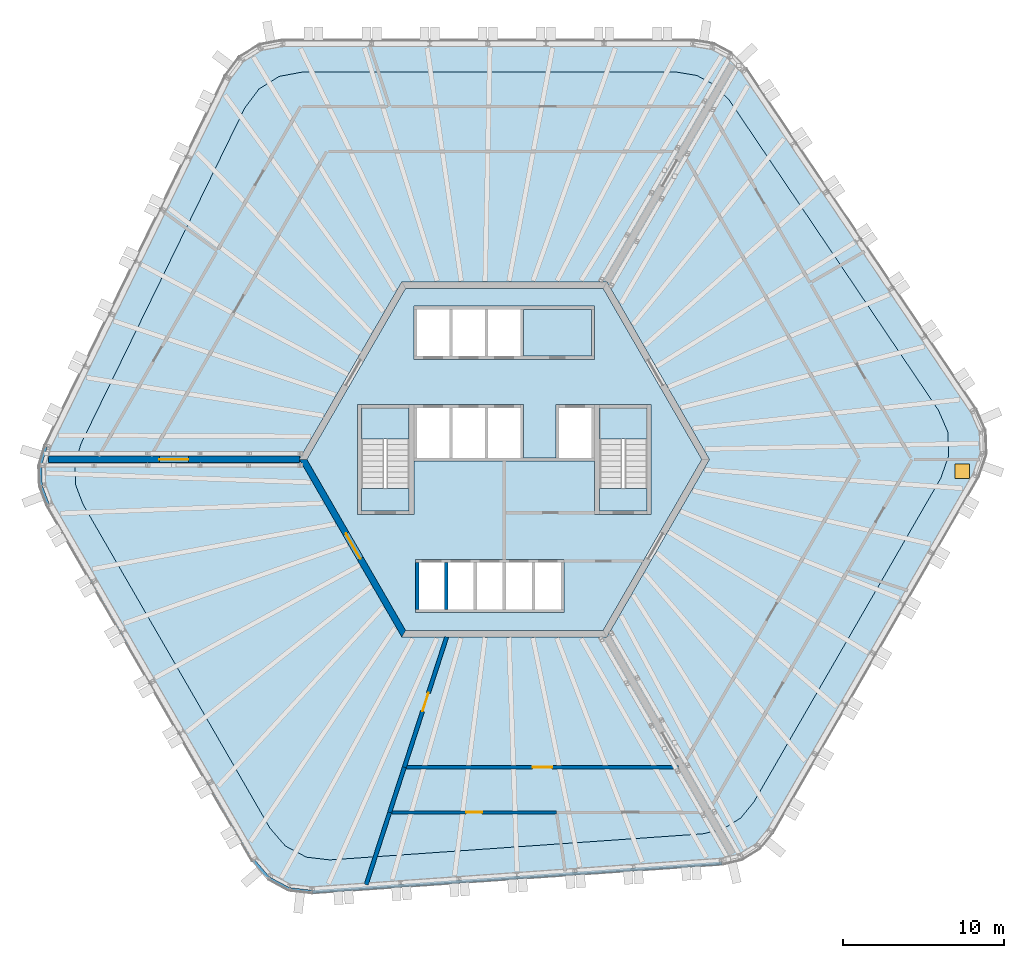
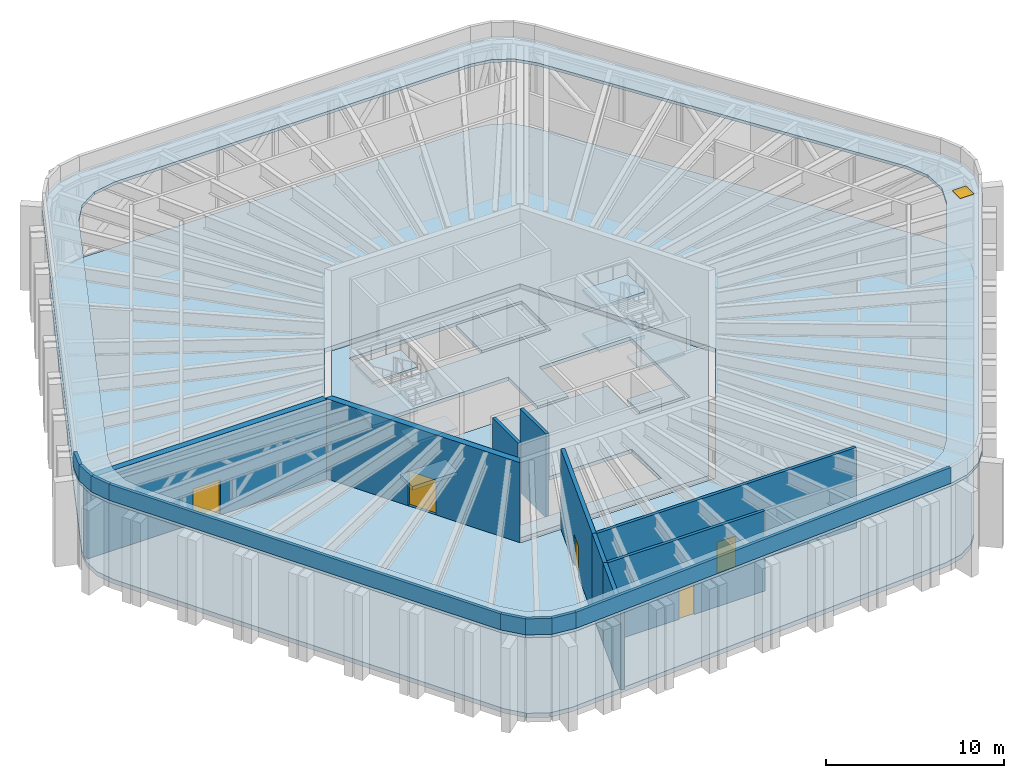
# One storey, part 9 of 19: 17 walls, 12 slabs, 6 doors, 6 openings, 2 elements without a shape of their own.
"""IFC4 building model written with IfcOpenShell, lengths in metres."""

from ifc_helpers import new_model, si_unit, direction, frame, frame_2d, origin, origin_2d, place, context, subcontext, project, spatial, polyline, rectangle, outline, extrude, material, layer, layer_set, type_object, element, fill, aggregate, save


model = new_model("IFC4")

# Units and contexts
model_context = context("Model", 3, precision=1e-05, world=origin(), true_north=direction((0.0, 1.0)))
body_context = subcontext(model_context, "Body", "Model", "MODEL_VIEW")
ifc_project = project(units=[si_unit("LENGTHUNIT", "METRE"), si_unit("AREAUNIT", "SQUARE_METRE"), si_unit("VOLUMEUNIT", "CUBIC_METRE"), si_unit("PLANEANGLEUNIT", "RADIAN"), si_unit("MASSUNIT", "GRAM", prefix="KILO")], contexts=[model_context])

# Site, building, storey
site_placement = place(None, origin())
site = spatial("IfcSite", under=ifc_project, at=site_placement, CompositionType="ELEMENT")
building_placement = place(site_placement, origin())
building = spatial("IfcBuilding", under=site, at=building_placement, Name="Tarnside Tower", CompositionType="ELEMENT")
storey_placement = place(building_placement, frame((0.0, 0.0, 343.5)))
storey = spatial("IfcBuildingStorey", under=building, at=storey_placement, Name="L83", CompositionType="ELEMENT", Elevation=343.5)

# Slabs
ifc_material_1 = material(Name="Concrete C35/45", Category="concrete")
ifc_layer_1 = layer(ifc_material_1, 0.300048828125)
ifc_layer_set_1 = layer_set([ifc_layer_1], Name="Composite floor slab 300")
slab_type_1 = type_object("IfcSlabType", Name="Composite floor slab 300", PredefinedType="FLOOR", material=ifc_layer_set_1)
slab_1_placement = place(storey_placement, frame((0.0, 0.0, -0.300048828125)))
element("IfcSlab", 1, at=slab_1_placement, inside=storey, type_object=slab_type_1, Name="Floor slab L83", PredefinedType="FLOOR", context=body_context, shape_type="SweptSolid", body=[
    extrude(outline(polyline([(12.83251953125, 25.359375), (13.847900390625, 24.8193359375), (14.648681640625, 23.970703125), (28.857421875, 2.9052734375), (29.384765625, 1.6826171875), (29.4306640625, 0.37109375), (28.98974609375, -0.88525390625), (16.28515625, -22.890380859375), (15.54541015625, -23.79296875), (14.5703125, -24.40234375), (13.434814453125, -24.67138671875), (-11.91259765625, -26.44384765625), (-13.235107421875, -26.289306640625), (-14.393798828125, -25.673095703125), (-15.261474609375, -24.663330078125), (-27.96630859375, -2.658203125), (-28.3779296875, -1.56640625), (-28.418212890625, -0.4169921875), (-28.08349609375, 0.70068359375), (-16.944580078125, 23.538818359375), (-16.149658203125, 24.606689453125), (-15.036865234375, 25.302001953125), (-13.728271484375, 25.548583984375), (11.68115234375, 25.548583984375), (12.83251953125, 25.359375)]), holes=[polyline([(-12.70166015625, 0.0), (-6.350830078125, -11.0), (6.350830078125, -11.0), (12.70166015625, 0.0), (6.350830078125, 11.0), (-6.350830078125, 11.0), (-12.70166015625, 0.0)])]), origin(), (0.0, 0.0, 1.0), 0.300048828125),
])
ifc_material_2 = material(Name="Concrete C40/50", Category="concrete")
ifc_layer_2 = layer(ifc_material_2, 0.25)
ifc_layer_set_2 = layer_set([ifc_layer_2], Name="Core slab C40/50")
slab_type_2 = type_object("IfcSlabType", Name="Core slab C40/50", PredefinedType="FLOOR", material=ifc_layer_set_2)
slab_2_placement = place(storey_placement, frame((0.0, 0.0, -0.25)))
element("IfcSlab", 2, at=slab_2_placement, inside=storey, type_object=slab_type_2, Name="L83 core floor slab 1", PredefinedType="FLOOR", context=body_context, shape_type="SweptSolid", body=[
    extrude(outline(polyline([(6.119873046875, 10.60009765625), (12.23974609375, 0.0), (6.119873046875, -10.60009765625), (-6.119873046875, -10.60009765625), (-12.23974609375, 0.0), (-6.119873046875, 10.60009765625), (6.119873046875, 10.60009765625)]), holes=[polyline([(-5.5, -9.5), (3.699951171875, -9.5), (3.699951171875, -9.300048828125), (3.699951171875, -6.39990234375), (3.699951171875, -6.199951171875), (-5.5, -6.199951171875), (-5.5, -6.39990234375), (-5.5, -9.300048828125), (-5.5, -9.5)]), polyline([(-5.60009765625, -3.39990234375), (-5.60009765625, -0.10009765625), (5.60009765625, -0.10009765625), (5.60009765625, -3.39990234375), (5.89990234375, -3.39990234375), (8.85009765625, -3.39990234375), (9.10009765625, -3.39990234375), (9.10009765625, 3.39990234375), (8.85009765625, 3.39990234375), (5.89990234375, 3.39990234375), (5.60009765625, 3.39990234375), (3.39990234375, 3.39990234375), (3.199951171875, 3.39990234375), (3.199951171875, 0.10009765625), (1.199951171875, 0.10009765625), (1.199951171875, 3.39990234375), (1.0, 3.39990234375), (-5.60009765625, 3.39990234375), (-5.89990234375, 3.39990234375), (-8.85009765625, 3.39990234375), (-9.10009765625, 3.39990234375), (-9.10009765625, -3.39990234375), (-8.85009765625, -3.39990234375), (-5.89990234375, -3.39990234375), (-5.60009765625, -3.39990234375)]), polyline([(-5.60009765625, 6.199951171875), (5.60009765625, 6.199951171875), (5.60009765625, 6.39990234375), (5.60009765625, 9.300048828125), (5.60009765625, 9.5), (-5.60009765625, 9.5), (-5.60009765625, 9.300048828125), (-5.60009765625, 6.39990234375), (-5.60009765625, 6.199951171875)])]), origin(), (0.0, 0.0, 1.0), 0.25),
])
slab_3_placement = place(storey_placement, frame((0.0, 0.0, -0.25)))
element("IfcSlab", 3, at=slab_3_placement, inside=storey, type_object=slab_type_2, Name="L83 core floor slab 2", PredefinedType="FLOOR", context=body_context, shape_type="SweptSolid", body=[
    extrude(outline(polyline([(-8.85009765625, -3.199951171875), (-8.85009765625, -1.800048828125), (-5.89990234375, -1.800048828125), (-5.89990234375, -3.199951171875), (-8.85009765625, -3.199951171875)])), origin(), (0.0, 0.0, 1.0), 0.25),
])
slab_4_placement = place(storey_placement, frame((0.0, 0.0, -0.25)))
element("IfcSlab", 4, at=slab_4_placement, inside=storey, type_object=slab_type_2, Name="L83 core floor slab 3", PredefinedType="FLOOR", context=body_context, shape_type="SweptSolid", body=[
    extrude(outline(polyline([(5.89990234375, -1.800048828125), (8.85009765625, -1.800048828125), (8.85009765625, -3.199951171875), (5.89990234375, -3.199951171875), (5.89990234375, -1.800048828125)])), origin(), (0.0, 0.0, 1.0), 0.25),
])
slab_5_placement = place(storey_placement, frame((0.0, 0.0, -0.25)))
element("IfcSlab", 5, at=slab_5_placement, inside=storey, type_object=slab_type_2, Name="L83 core floor slab 4", PredefinedType="FLOOR", context=body_context, shape_type="SweptSolid", body=[
    extrude(outline(polyline([(5.39990234375, 6.39990234375), (1.199951171875, 6.39990234375), (1.199951171875, 9.300048828125), (5.39990234375, 9.300048828125), (5.39990234375, 6.39990234375)])), origin(), (0.0, 0.0, 1.0), 0.25),
])

# Slab, opening, door
ifc_layer_3 = layer(ifc_material_1, 0.199951171875)
ifc_layer_set_3 = layer_set([ifc_layer_3], Name="Setback roof slab 200")
slab_type_3 = type_object("IfcSlabType", Name="Setback roof slab 200", PredefinedType="ROOF", material=ifc_layer_set_3)
slab_6_placement = place(storey_placement, frame((0.0, 0.0, 5.5)))
slab_6 = element("IfcSlab", 6, at=slab_6_placement, inside=storey, type_object=slab_type_3, Name="Setback roof L83", PredefinedType="ROOF", context=body_context, shape_type="SweptSolid", body=[
    extrude(outline(polyline([(14.123291015625, 25.180419921875), (15.013671875, 24.23681640625), (29.2421875, 3.14208984375), (29.828857421875, 1.782470703125), (29.88037109375, 0.302734375), (29.39013671875, -1.0947265625), (16.66796875, -23.13037109375), (15.845458984375, -24.134033203125), (14.7451171875, -24.821533203125), (13.482666015625, -25.12060546875), (-11.89990234375, -26.8955078125), (-13.37060546875, -26.7236328125), (-14.67822265625, -26.028564453125), (-15.64306640625, -24.9052734375), (-28.365478515625, -2.86962890625), (-28.823486328125, -1.65576171875), (-28.86865234375, -0.35888671875), (-28.49658203125, 0.8837890625), (-17.34228515625, 23.75341796875), (-16.4580078125, 24.941162109375), (-15.202392578125, 25.725830078125), (-13.7470703125, 26.0), (11.697509765625, 26.0), (12.977783203125, 25.78955078125), (14.123291015625, 25.180419921875)]), holes=[polyline([(10.652587890625, 24.0), (10.63427734375, 24.0), (-12.497314453125, 24.0), (-12.518310546875, 24.0), (-13.9541015625, 23.7294921875), (-15.2109375, 22.944091796875), (-16.08349609375, 21.7724609375), (-16.45654296875, 21.007080078125), (-16.716796875, 20.4736328125), (-16.716796875, 20.4736328125), (-16.717041015625, 20.4736328125), (-16.717041015625, 20.4736328125), (-16.71728515625, 20.4736328125), (-16.71728515625, 20.4736328125), (-16.71728515625, 20.4736328125), (-16.717529296875, 20.4736328125), (-16.717529296875, 20.4736328125), (-16.7177734375, 20.4736328125), (-16.7177734375, 20.4736328125), (-16.7177734375, 20.4736328125), (-16.718017578125, 20.473388671875), (-16.718017578125, 20.473388671875), (-16.718017578125, 20.473388671875), (-16.718017578125, 20.47314453125), (-16.71826171875, 20.47314453125), (-25.60888671875, 2.244140625), (-25.609130859375, 2.244140625), (-25.609130859375, 2.243896484375), (-25.609130859375, 2.243896484375), (-25.609130859375, 2.243896484375), (-25.609130859375, 2.24365234375), (-25.609130859375, 2.24365234375), (-25.609130859375, 2.243408203125), (-25.609130859375, 2.243408203125), (-25.60888671875, 2.243408203125), (-25.60888671875, 2.2431640625), (-25.60888671875, 2.2431640625), (-25.60888671875, 2.2431640625), (-25.60888671875, 2.242919921875), (-25.608642578125, 2.242919921875), (-25.608642578125, 2.242919921875), (-25.608642578125, 2.242919921875), (-26.232666015625, 0.962890625), (-26.23291015625, 0.962890625), (-26.24072265625, 0.946533203125), (-26.60791015625, -0.279541015625), (-26.5625, -1.5771484375), (-26.11083984375, -2.774658203125), (-25.267822265625, -4.23486328125), (-14.535888671875, -22.822998046875), (-14.535888671875, -22.8232421875), (-14.525390625, -22.84130859375), (-13.573486328125, -23.94921875), (-12.2646484375, -24.645263671875), (-10.813720703125, -24.814697265625), (-9.78173828125, -24.74267578125), (-9.372314453125, -24.7138671875), (-9.372314453125, -24.714111328125), (-9.372314453125, -24.714111328125), (-9.372314453125, -24.71435546875), (-9.3720703125, -24.71435546875), (-9.3720703125, -24.71435546875), (-9.3720703125, -24.714599609375), (-9.3720703125, -24.714599609375), (-9.371826171875, -24.714599609375), (-9.371826171875, -24.71484375), (-9.371826171875, -24.71484375), (-9.37158203125, -24.71484375), (-9.37158203125, -24.71484375), (-9.37158203125, -24.71484375), (-9.371337890625, -24.71484375), (-9.371337890625, -24.71484375), (-9.37109375, -24.71484375), (10.861083984375, -23.300048828125), (10.861083984375, -23.300048828125), (10.861083984375, -23.300048828125), (10.861328125, -23.300048828125), (10.861328125, -23.300048828125), (10.861328125, -23.300048828125), (10.861572265625, -23.300048828125), (10.861572265625, -23.2998046875), (10.861572265625, -23.2998046875), (10.86181640625, -23.2998046875), (10.86181640625, -23.299560546875), (10.86181640625, -23.299560546875), (10.86181640625, -23.299560546875), (10.86181640625, -23.29931640625), (10.86181640625, -23.29931640625), (10.86181640625, -23.299072265625), (10.86181640625, -23.299072265625), (11.476318359375, -23.256103515625), (12.30078125, -23.198486328125), (13.546142578125, -22.9033203125), (14.647216796875, -22.21533203125), (15.458251953125, -21.225341796875), (15.467529296875, -21.20947265625), (15.467529296875, -21.20947265625), (21.5126953125, -10.73876953125), (27.043701171875, -1.15869140625), (27.52734375, 0.2197265625), (27.4755859375, 1.700927734375), (26.897216796875, 3.04248046875), (26.88525390625, 3.059814453125), (26.88525390625, 3.059814453125), (26.089111328125, 4.240478515625), (26.089111328125, 4.240478515625), (26.089111328125, 4.240478515625), (26.08935546875, 4.240478515625), (26.08935546875, 4.24072265625), (26.08935546875, 4.24072265625), (26.08935546875, 4.24072265625), (26.08935546875, 4.240966796875), (26.089599609375, 4.240966796875), (26.089599609375, 4.2412109375), (26.089599609375, 4.2412109375), (26.089599609375, 4.2412109375), (26.089599609375, 4.241455078125), (26.08935546875, 4.241455078125), (26.08935546875, 4.24169921875), (26.08935546875, 4.24169921875), (26.08935546875, 4.24169921875), (14.748046875, 21.055908203125), (14.748046875, 21.05615234375), (14.747802734375, 21.05615234375), (14.747802734375, 21.05615234375), (14.747802734375, 21.05615234375), (14.74755859375, 21.056396484375), (14.74755859375, 21.056396484375), (14.74755859375, 21.056396484375), (14.747314453125, 21.056396484375), (14.747314453125, 21.056396484375), (14.7470703125, 21.056396484375), (14.7470703125, 21.056396484375), (14.7470703125, 21.056396484375), (14.746826171875, 21.056396484375), (14.746826171875, 21.056396484375), (14.746826171875, 21.05615234375), (14.74658203125, 21.05615234375), (13.940185546875, 22.251953125), (13.061767578125, 23.182861328125), (11.915283203125, 23.79248046875), (10.652587890625, 24.0)])]), origin(), (0.0, 0.0, 1.0), 0.199951171875),
])
opening_1_placement = place(slab_6_placement, frame((28.357421875, -0.726806640625, 0.0)))
opening_1 = element("IfcOpeningElement", 7, at=opening_1_placement, cuts=slab_6, Name="Opening RH", PredefinedType="OPENING", context=body_context, shape_type="SweptSolid", body=[
    extrude(rectangle(XDim=0.89990234375, YDim=0.89990234375, at=origin_2d()), origin(), (0.0, 0.0, 1.0), 0.199951171875),
])
ifc_material_3 = material(Name="Aluminium alloy 6063", Category="aluminium")
door_type_1 = type_object("IfcDoorType", Name="Roof access hatch 900 x 900", OperationType="NOTDEFINED", PredefinedType="TRAPDOOR", material=ifc_material_3)
door_1_placement = place(opening_1_placement, frame((0.0, 0.0, 0.14990234375)))
door_1 = element("IfcDoor", 8, at=door_1_placement, inside=storey, type_object=door_type_1, Name="Roof access hatch", OperationType="SINGLE_SWING_LEFT", OverallHeight=0.89990234375, OverallWidth=0.89990234375, PredefinedType="TRAPDOOR", context=body_context, shape_type="SweptSolid", body=[
    extrude(rectangle(XDim=0.89990234375, YDim=0.89990234375, at=origin_2d()), origin(), (0.0, 0.0, 1.0), 0.050048828125),
])
fill(opening_1, door_1)

# Stair, slabs
stair_type = type_object("IfcStairType", Name="Exit stair 1400 clear", PredefinedType="HALF_TURN_STAIR", material=ifc_material_2)
stair_1_placement = place(storey_placement, origin())
stair_1 = element("IfcStair", 9, at=stair_1_placement, inside=storey, type_object=stair_type, Name="L83 Exit stair 1", PredefinedType="HALF_TURN_STAIR")
ifc_layer_4 = layer(ifc_material_2, 0.199951171875)
ifc_layer_set_4 = layer_set([ifc_layer_4], Name="Stair landing 200 C40/50")
slab_type_4 = type_object("IfcSlabType", Name="Stair landing 200 C40/50", PredefinedType="LANDING", material=ifc_layer_set_4)
slab_7_placement = place(storey_placement, frame((0.0, 0.0, 1.300048828125)))
slab_7 = element("IfcSlab", 10, at=slab_7_placement, type_object=slab_type_4, Name="ST1 landing 1", PredefinedType="LANDING", context=body_context, shape_type="SweptSolid", body=[
    extrude(outline(polyline([(8.85009765625, 1.260009765625), (8.85009765625, 3.199951171875), (5.89990234375, 3.199951171875), (5.89990234375, 1.260009765625), (8.85009765625, 1.260009765625)])), origin(), (0.0, 0.0, 1.0), 0.199951171875),
])
slab_8_placement = place(storey_placement, frame((0.0, 0.0, 2.800048828125)))
slab_8 = element("IfcSlab", 11, at=slab_8_placement, type_object=slab_type_4, Name="ST1 landing 2", PredefinedType="LANDING", context=body_context, shape_type="SweptSolid", body=[
    extrude(outline(polyline([(8.85009765625, -3.199951171875), (8.85009765625, -1.800048828125), (5.89990234375, -1.800048828125), (5.89990234375, -3.199951171875), (8.85009765625, -3.199951171875)])), origin(), (0.0, 0.0, 1.0), 0.199951171875),
])
slab_9_placement = place(storey_placement, frame((0.0, 0.0, 4.300048828125)))
slab_9 = element("IfcSlab", 12, at=slab_9_placement, type_object=slab_type_4, Name="ST1 landing 3", PredefinedType="LANDING", context=body_context, shape_type="SweptSolid", body=[
    extrude(outline(polyline([(8.85009765625, 1.260009765625), (8.85009765625, 3.199951171875), (5.89990234375, 3.199951171875), (5.89990234375, 1.260009765625), (8.85009765625, 1.260009765625)])), origin(), (0.0, 0.0, 1.0), 0.199951171875),
])
aggregate(stair_1, [slab_7, slab_8, slab_9])

stair_2_placement = place(storey_placement, origin())
stair_2 = element("IfcStair", 13, at=stair_2_placement, inside=storey, type_object=stair_type, Name="L83 Exit stair 2", PredefinedType="HALF_TURN_STAIR")
slab_10_placement = place(storey_placement, frame((0.0, 0.0, 1.300048828125)))
slab_10 = element("IfcSlab", 14, at=slab_10_placement, type_object=slab_type_4, Name="ST2 landing 1", PredefinedType="LANDING", context=body_context, shape_type="SweptSolid", body=[
    extrude(outline(polyline([(-5.89990234375, 1.260009765625), (-5.89990234375, 3.199951171875), (-8.85009765625, 3.199951171875), (-8.85009765625, 1.260009765625), (-5.89990234375, 1.260009765625)])), origin(), (0.0, 0.0, 1.0), 0.199951171875),
])
slab_11_placement = place(storey_placement, frame((0.0, 0.0, 2.800048828125)))
slab_11 = element("IfcSlab", 15, at=slab_11_placement, type_object=slab_type_4, Name="ST2 landing 2", PredefinedType="LANDING", context=body_context, shape_type="SweptSolid", body=[
    extrude(outline(polyline([(-5.89990234375, -3.199951171875), (-5.89990234375, -1.800048828125), (-8.85009765625, -1.800048828125), (-8.85009765625, -3.199951171875), (-5.89990234375, -3.199951171875)])), origin(), (0.0, 0.0, 1.0), 0.199951171875),
])
slab_12_placement = place(storey_placement, frame((0.0, 0.0, 4.300048828125)))
slab_12 = element("IfcSlab", 16, at=slab_12_placement, type_object=slab_type_4, Name="ST2 landing 3", PredefinedType="LANDING", context=body_context, shape_type="SweptSolid", body=[
    extrude(outline(polyline([(-5.89990234375, 1.260009765625), (-5.89990234375, 3.199951171875), (-8.85009765625, 3.199951171875), (-8.85009765625, 1.260009765625), (-5.89990234375, 1.260009765625)])), origin(), (0.0, 0.0, 1.0), 0.199951171875),
])
aggregate(stair_2, [slab_10, slab_11, slab_12])

# Wall, opening, door
ifc_material_4 = material(Name="Concrete C60/75", Category="concrete")
ifc_layer_5 = layer(ifc_material_4, 0.39990234375)
ifc_layer_set_5 = layer_set([ifc_layer_5], Name="Core wall Z3 400 C60/75")
wall_type_1 = type_object("IfcWallType", Name="Core wall Z3 400 C60/75", PredefinedType="SHEAR", material=ifc_layer_set_5)
wall_1_placement = place(storey_placement, frame((-12.470703125, 0.0, -0.300048828125), z_axis=(0.0, 0.0, 1.0), x_axis=(0.499996419489, -0.866027470984, 0.0)))
wall_1 = element("IfcWall", 17, at=wall_1_placement, inside=storey, type_object=wall_type_1, Name="L83 core wall face 3", PredefinedType="SHEAR", context=body_context, shape_type="SweptSolid", body=[
    extrude(outline(polyline([(-0.115478515625, -0.199951171875), (12.586181640625, -0.199951171875), (12.355224609375, 0.199951171875), (0.115478515625, 0.199951171875), (-0.115478515625, -0.199951171875)])), origin(), (0.0, 0.0, 1.0), 5.800048828125),
])
opening_2_placement = place(wall_1_placement, frame((5.306396484375, 0.0, 0.300048828125)))
opening_2 = element("IfcOpeningElement", 18, at=opening_2_placement, cuts=wall_1, Name="Opening CD-FFL", PredefinedType="OPENING", context=body_context, shape_type="SweptSolid", body=[
    extrude(rectangle(XDim=1.800048828125, YDim=2.39990234375, at=frame_2d((0.89990234375, 1.199951171875))), frame((0.0, 0.2099609375, 0.0), z_axis=(0.0, -1.0, 0.0), x_axis=(1.0, 0.0, 0.0)), (0.0, 0.0, 1.0), 0.419921875),
])
ifc_material_5 = material(Name="Steel fire door", Category="steel")
door_type_2 = type_object("IfcDoorType", Name="Firefighting lobby double door FD60S 1800x2400", OperationType="NOTDEFINED", PredefinedType="DOOR", material=ifc_material_5)
door_2_placement = place(opening_2_placement, origin())
door_2 = element("IfcDoor", 19, at=door_2_placement, inside=storey, type_object=door_type_2, Name="L83 core door P3", OperationType="DOUBLE_DOOR_SINGLE_SWING", OverallHeight=2.39990234375, OverallWidth=1.800048828125, PredefinedType="DOOR", context=body_context, shape_type="SweptSolid", body=[
    extrude(rectangle(XDim=1.800048828125, YDim=2.39990234375, at=frame_2d((0.89990234375, 1.199951171875))), frame((0.0, 0.02490234375, 0.0), z_axis=(0.0, -1.0, 0.0), x_axis=(1.0, 0.0, 0.0)), (0.0, 0.0, 1.0), 0.050048828125),
])
fill(opening_2, door_2)

wall_2_placement = place(storey_placement, frame((-12.70166015625, 0.0, -0.300048828125), z_axis=(0.0, 0.0, 1.0), x_axis=(-1.0, 0.0, 0.0)))
wall_2 = element("IfcWall", 20, at=wall_2_placement, inside=storey, type_object=wall_type_1, Name="L83 spine wall 2", PredefinedType="SHEAR", context=body_context, shape_type="SweptSolid", body=[
    extrude(rectangle(XDim=15.54443359375, YDim=0.39990234375, at=frame_2d((7.772216796875, 0.0))), origin(), (0.0, 0.0, 1.0), 5.800048828125),
])
opening_3_placement = place(wall_2_placement, frame((6.872314453125, 0.0, 0.300048828125)))
opening_3 = element("IfcOpeningElement", 21, at=opening_3_placement, cuts=wall_2, Name="Opening CD-SPN", PredefinedType="OPENING", context=body_context, shape_type="SweptSolid", body=[
    extrude(rectangle(XDim=1.800048828125, YDim=2.39990234375, at=frame_2d((0.89990234375, 1.199951171875))), frame((0.0, 0.2099609375, 0.0), z_axis=(0.0, -1.0, 0.0), x_axis=(1.0, 0.0, 0.0)), (0.0, 0.0, 1.0), 0.419921875),
])
door_type_3 = type_object("IfcDoorType", Name="Spine passage double door FD60 1800x2400", OperationType="NOTDEFINED", PredefinedType="DOOR", material=ifc_material_5)
door_3_placement = place(opening_3_placement, origin())
door_3 = element("IfcDoor", 22, at=door_3_placement, inside=storey, type_object=door_type_3, Name="L83 spine passage door 2", OperationType="DOUBLE_DOOR_SINGLE_SWING", OverallHeight=2.39990234375, OverallWidth=1.800048828125, PredefinedType="DOOR", context=body_context, shape_type="SweptSolid", body=[
    extrude(rectangle(XDim=1.800048828125, YDim=2.39990234375, at=frame_2d((0.89990234375, 1.199951171875))), frame((0.0, 0.02490234375, 0.0), z_axis=(0.0, -1.0, 0.0), x_axis=(1.0, 0.0, 0.0)), (0.0, 0.0, 1.0), 0.050048828125),
])
fill(opening_3, door_3)

# Walls
ifc_layer_6 = layer(ifc_material_2, 0.199951171875)
ifc_layer_set_6 = layer_set([ifc_layer_6], Name="Lift shaft wall 200 C40/50")
wall_type_2 = type_object("IfcWallType", Name="Lift shaft wall 200 C40/50", PredefinedType="SHEAR", material=ifc_layer_set_6)
for number, where, z_axis, x_axis, name in (
    (23, (-5.39990234375, -9.300048828125, -0.25), (0.0, 0.0, 1.0), (0.0, 1.0, 0.0), "L83 lift shaft partition R41"),
    (24, (-3.60009765625, -9.300048828125, -0.25), (0.0, 0.0, 1.0), (0.0, 1.0, 0.0), "L83 lift shaft partition R42"),
):
    element("IfcWall", number, at=place(storey_placement, frame(where, z_axis=z_axis, x_axis=x_axis)), inside=storey, type_object=wall_type_2, Name=name, PredefinedType="SHEAR", context=body_context, shape_type="SweptSolid", body=[
        extrude(rectangle(XDim=2.900146484375, YDim=0.199951171875, at=frame_2d((1.4501953125, 0.0))), origin(), (0.0, 0.0, 1.0), 5.75),
    ])
ifc_material_6 = material(Name="Concrete C35/45 precast", Category="concrete")
ifc_layer_7 = layer(ifc_material_6, 0.199951171875)
ifc_layer_set_7 = layer_set([ifc_layer_7], Name="Parapet 200 x 1100")
wall_type_3 = type_object("IfcWallType", Name="Parapet 200 x 1100", PredefinedType="PARAPET", material=ifc_layer_set_7)
wall_3_placement = place(storey_placement, frame((13.4677734375, -25.021484375, 5.699951171875), z_axis=(0.0, 0.0, 1.0), x_axis=(-0.997564174518, -0.069754696747, 0.0)))
element("IfcWall", 25, at=wall_3_placement, inside=storey, type_object=wall_type_3, Name="Roof parapet 12", PredefinedType="PARAPET", context=body_context, shape_type="SweptSolid", body=[
    extrude(outline(polyline([(0.008056640625, -0.10009765625), (25.418212890625, -0.10009765625), (25.436767578125, 0.10009765625), (-0.008056640625, 0.10009765625), (0.008056640625, -0.10009765625)])), origin(), (0.0, 0.0, 1.0), 1.10009765625),
])
wall_4_placement = place(storey_placement, frame((-11.897705078125, -26.795166015625, 5.699951171875), z_axis=(0.0, 0.0, 1.0), x_axis=(-0.993231825369, 0.116148788514, 0.0)))
element("IfcWall", 26, at=wall_4_placement, inside=storey, type_object=wall_type_3, Name="Roof parapet 13", PredefinedType="PARAPET", context=body_context, shape_type="SweptSolid", body=[
    extrude(outline(polyline([(0.00927734375, -0.10009765625), (1.43359375, -0.10009765625), (1.47119140625, 0.10009765625), (-0.00927734375, 0.10009765625), (0.00927734375, -0.10009765625)])), origin(), (0.0, 0.0, 1.0), 1.10009765625),
])
wall_5_placement = place(storey_placement, frame((-13.34033203125, -26.62646484375, 5.699951171875), z_axis=(0.0, 0.0, 1.0), x_axis=(-0.882946998442, 0.46947268072, 0.0)))
element("IfcWall", 27, at=wall_5_placement, inside=storey, type_object=wall_type_3, Name="Roof parapet 14", PredefinedType="PARAPET", context=body_context, shape_type="SweptSolid", body=[
    extrude(outline(polyline([(0.018798828125, -0.10009765625), (1.42431640625, -0.10009765625), (1.4619140625, 0.10009765625), (-0.018798828125, 0.10009765625), (0.018798828125, -0.10009765625)])), origin(), (0.0, 0.0, 1.0), 1.10009765625),
])
wall_6_placement = place(storey_placement, frame((-14.614501953125, -25.948974609375, 5.699951171875), z_axis=(0.0, 0.0, 1.0), x_axis=(-0.651732002744, 0.75844933687, 0.0)))
element("IfcWall", 28, at=wall_6_placement, inside=storey, type_object=wall_type_3, Name="Roof parapet 15", PredefinedType="PARAPET", context=body_context, shape_type="SweptSolid", body=[
    extrude(outline(polyline([(0.018798828125, -0.10009765625), (1.443359375, -0.10009765625), (1.4619140625, 0.10009765625), (-0.018798828125, 0.10009765625), (0.018798828125, -0.10009765625)])), origin(), (0.0, 0.0, 1.0), 1.10009765625),
])
wall_7_placement = place(storey_placement, frame((-15.561279296875, -24.84716796875, 5.699951171875), z_axis=(0.0, 0.0, 1.0), x_axis=(-0.499995068022, 0.866028251245, 0.0)))
element("IfcWall", 29, at=wall_7_placement, inside=storey, type_object=wall_type_3, Name="Roof parapet 16", PredefinedType="PARAPET", context=body_context, shape_type="SweptSolid", body=[
    extrude(outline(polyline([(0.00927734375, -0.10009765625), (25.4189453125, -0.10009765625), (25.43505859375, 0.10009765625), (-0.00927734375, 0.10009765625), (0.00927734375, -0.10009765625)])), origin(), (0.0, 0.0, 1.0), 1.10009765625),
])
wall_8_placement = place(storey_placement, frame((-28.274658203125, -2.82666015625, 5.699951171875), z_axis=(0.0, 0.0, 1.0), x_axis=(-0.353098432582, 0.935586178237, 0.0)))
element("IfcWall", 30, at=wall_8_placement, inside=storey, type_object=wall_type_3, Name="Roof parapet 17", PredefinedType="PARAPET", context=body_context, shape_type="SweptSolid", body=[
    extrude(outline(polyline([(0.008056640625, -0.10009765625), (1.256591796875, -0.10009765625), (1.289306640625, 0.10009765625), (-0.008056640625, 0.10009765625), (0.008056640625, -0.10009765625)])), origin(), (0.0, 0.0, 1.0), 1.10009765625),
])
wall_9_placement = place(storey_placement, frame((-28.72412109375, -1.6357421875, 5.699951171875), z_axis=(0.0, 0.0, 1.0), x_axis=(-0.034748174227, 0.999396099846, 0.0)))
element("IfcWall", 31, at=wall_9_placement, inside=storey, type_object=wall_type_3, Name="Roof parapet 18", PredefinedType="PARAPET", context=body_context, shape_type="SweptSolid", body=[
    extrude(outline(polyline([(0.016357421875, -0.10009765625), (1.248291015625, -0.10009765625), (1.281005859375, 0.10009765625), (-0.016357421875, 0.10009765625), (0.016357421875, -0.10009765625)])), origin(), (0.0, 0.0, 1.0), 1.10009765625),
])
wall_10_placement = place(storey_placement, frame((-28.76806640625, -0.371826171875, 5.699951171875), z_axis=(0.0, 0.0, 1.0), x_axis=(0.286784667578, 0.957995070156, 0.0)))
element("IfcWall", 32, at=wall_10_placement, inside=storey, type_object=wall_type_3, Name="Roof parapet 19", PredefinedType="PARAPET", context=body_context, shape_type="SweptSolid", body=[
    extrude(outline(polyline([(0.016357421875, -0.10009765625), (1.2646484375, -0.10009765625), (1.28076171875, 0.10009765625), (-0.016357421875, 0.10009765625), (0.016357421875, -0.10009765625)])), origin(), (0.0, 0.0, 1.0), 1.10009765625),
])

# Wall, opening, door
ifc_material_7 = material(Name="Concrete C32/40", Category="concrete")
ifc_layer_8 = layer(ifc_material_7, 0.199951171875)
ifc_layer_set_8 = layer_set([ifc_layer_8], Name="Wall 200 reinforced Concrete C32/40")
wall_type_4 = type_object("IfcWallType", Name="Wall 200 reinforced Concrete C32/40", PredefinedType="PARTITIONING", material=ifc_layer_set_8)
wall_11_placement = place(storey_placement, frame((3.22900390625, -21.8701171875, 0.0), z_axis=(0.0, 0.0, 1.0), x_axis=(-1.0, 0.0, 0.0)))
wall_11 = element("IfcWall", 33, at=wall_11_placement, inside=storey, type_object=wall_type_4, Name="Partition 007", PredefinedType="PARTITIONING", context=body_context, shape_type="SweptSolid", body=[
    extrude(rectangle(XDim=10.20361328125, YDim=0.199951171875, at=frame_2d((5.101806640625, 0.0))), origin(), (0.0, 0.0, 1.0), 5.5),
])
opening_4_placement = place(wall_11_placement, frame((4.601806640625, 0.0, 0.0)))
opening_4 = element("IfcOpeningElement", 34, at=opening_4_placement, cuts=wall_11, Name="Opening D1000F60", PredefinedType="OPENING", context=body_context, shape_type="SweptSolid", body=[
    extrude(rectangle(XDim=1.0, YDim=2.10009765625, at=frame_2d((0.5, 1.050048828125))), frame((0.0, 0.10986328125, 0.0), z_axis=(0.0, -1.0, 0.0), x_axis=(1.0, 0.0, 0.0)), (0.0, 0.0, 1.0), 0.219970703125),
])
ifc_material_8 = material(Name="Timber door leaf", Category="wood")
door_type_4 = type_object("IfcDoorType", Name="Door 1000 x 2100 single leaf FD60 fire door", OperationType="NOTDEFINED", PredefinedType="DOOR", material=ifc_material_8)
door_4_placement = place(opening_4_placement, origin())
door_4 = element("IfcDoor", 35, at=door_4_placement, inside=storey, type_object=door_type_4, Name="Door L83-04", OperationType="SINGLE_SWING_LEFT", OverallHeight=2.10009765625, OverallWidth=1.0, PredefinedType="DOOR", context=body_context, shape_type="SweptSolid", body=[
    extrude(rectangle(XDim=1.0, YDim=2.10009765625, at=frame_2d((0.5, 1.050048828125))), frame((0.0, 0.02490234375, 0.0), z_axis=(0.0, -1.0, 0.0), x_axis=(1.0, 0.0, 0.0)), (0.0, 0.0, 1.0), 0.050048828125),
])
fill(opening_4, door_4)

wall_12_placement = place(storey_placement, frame((-6.064453125, -19.070068359375, 0.0), z_axis=(0.0, 0.0, 1.0), x_axis=(1.0, 0.0, 0.0)))
wall_12 = element("IfcWall", 36, at=wall_12_placement, inside=storey, type_object=wall_type_4, Name="Partition 010", PredefinedType="PARTITIONING", context=body_context, shape_type="SweptSolid", body=[
    extrude(rectangle(XDim=16.843505859375, YDim=0.199951171875, at=frame_2d((8.421875, 0.0))), origin(), (0.0, 0.0, 1.0), 5.5),
])
opening_5_placement = place(wall_12_placement, frame((7.82177734375, 0.0, 0.0)))
opening_5 = element("IfcOpeningElement", 37, at=opening_5_placement, cuts=wall_12, Name="Opening D1200F60", PredefinedType="OPENING", context=body_context, shape_type="SweptSolid", body=[
    extrude(rectangle(XDim=1.199951171875, YDim=2.10009765625, at=frame_2d((0.60009765625, 1.050048828125))), frame((0.0, 0.10986328125, 0.0), z_axis=(0.0, -1.0, 0.0), x_axis=(1.0, 0.0, 0.0)), (0.0, 0.0, 1.0), 0.219970703125),
])
door_type_5 = type_object("IfcDoorType", Name="Door 1200 x 2100 single leaf FD60 fire door", OperationType="NOTDEFINED", PredefinedType="DOOR", material=ifc_material_8)
door_5_placement = place(opening_5_placement, origin())
door_5 = element("IfcDoor", 38, at=door_5_placement, inside=storey, type_object=door_type_5, Name="Door L83-06", OperationType="SINGLE_SWING_LEFT", OverallHeight=2.10009765625, OverallWidth=1.199951171875, PredefinedType="DOOR", context=body_context, shape_type="SweptSolid", body=[
    extrude(rectangle(XDim=1.199951171875, YDim=2.10009765625, at=frame_2d((0.60009765625, 1.050048828125))), frame((0.0, 0.02490234375, 0.0), z_axis=(0.0, -1.0, 0.0), x_axis=(1.0, 0.0, 0.0)), (0.0, 0.0, 1.0), 0.050048828125),
])
fill(opening_5, door_5)

# Walls
ifc_layer_9 = layer(ifc_material_7, 0.25)
ifc_layer_set_9 = layer_set([ifc_layer_9], Name="Wall 250 reinforced Concrete C32/40")
wall_type_5 = type_object("IfcWallType", Name="Wall 250 reinforced Concrete C32/40", PredefinedType="PARTITIONING", material=ifc_layer_set_9)
wall_13_placement = place(storey_placement, frame((-8.560791015625, -26.34716796875, 0.0), z_axis=(0.0, 0.0, 1.0), x_axis=(0.309046200701, 0.951047026089, 0.0)))
element("IfcWall", 39, at=wall_13_placement, inside=storey, type_object=wall_type_5, Name="Partition 004", PredefinedType="PARTITIONING", context=body_context, shape_type="SweptSolid", body=[
    extrude(rectangle(XDim=4.70751953125, YDim=0.25, at=frame_2d((2.353759765625, 0.0))), origin(), (0.0, 0.0, 1.0), 5.5),
])
wall_14_placement = place(storey_placement, frame((-7.10595703125, -21.8701171875, 0.0), z_axis=(0.0, 0.0, 1.0), x_axis=(0.309054196713, 0.951044427718, 0.0)))
element("IfcWall", 40, at=wall_14_placement, inside=storey, type_object=wall_type_5, Name="Partition 006", PredefinedType="PARTITIONING", context=body_context, shape_type="SweptSolid", body=[
    extrude(rectangle(XDim=2.944091796875, YDim=0.25, at=frame_2d((1.47216796875, 0.0))), origin(), (0.0, 0.0, 1.0), 5.5),
])

# Wall, opening, door
wall_15_placement = place(storey_placement, frame((-6.196044921875, -19.070068359375, 0.0), z_axis=(0.0, 0.0, 1.0), x_axis=(0.309011254429, 0.951058381298, 0.0)))
wall_15 = element("IfcWall", 41, at=wall_15_placement, inside=storey, type_object=wall_type_5, Name="Partition 009", PredefinedType="PARTITIONING", context=body_context, shape_type="SweptSolid", body=[
    extrude(rectangle(XDim=8.4853515625, YDim=0.25, at=frame_2d((4.24267578125, 0.0))), origin(), (0.0, 0.0, 1.0), 5.5),
])
opening_6_placement = place(wall_15_placement, frame((3.642578125, 0.0, 0.0)))
opening_6 = element("IfcOpeningElement", 42, at=opening_6_placement, cuts=wall_15, Name="Opening D1200F60S", PredefinedType="OPENING", context=body_context, shape_type="SweptSolid", body=[
    extrude(rectangle(XDim=1.199951171875, YDim=2.10009765625, at=frame_2d((0.60009765625, 1.050048828125))), frame((0.0, 0.135009765625, 0.0), z_axis=(0.0, -1.0, 0.0), x_axis=(1.0, 0.0, 0.0)), (0.0, 0.0, 1.0), 0.27001953125),
])
door_type_6 = type_object("IfcDoorType", Name="Door 1200 x 2100 single leaf FD60S fire door", OperationType="NOTDEFINED", PredefinedType="DOOR", material=ifc_material_8)
door_6_placement = place(opening_6_placement, origin())
door_6 = element("IfcDoor", 43, at=door_6_placement, inside=storey, type_object=door_type_6, Name="Door L83-05", OperationType="SINGLE_SWING_RIGHT", OverallHeight=2.10009765625, OverallWidth=1.199951171875, PredefinedType="DOOR", context=body_context, shape_type="SweptSolid", body=[
    extrude(rectangle(XDim=1.199951171875, YDim=2.10009765625, at=frame_2d((0.60009765625, 1.050048828125))), frame((0.0, 0.02490234375, 0.0), z_axis=(0.0, -1.0, 0.0), x_axis=(1.0, 0.0, 0.0)), (0.0, 0.0, 1.0), 0.050048828125),
])
fill(opening_6, door_6)

save(model, "model.ifc")
